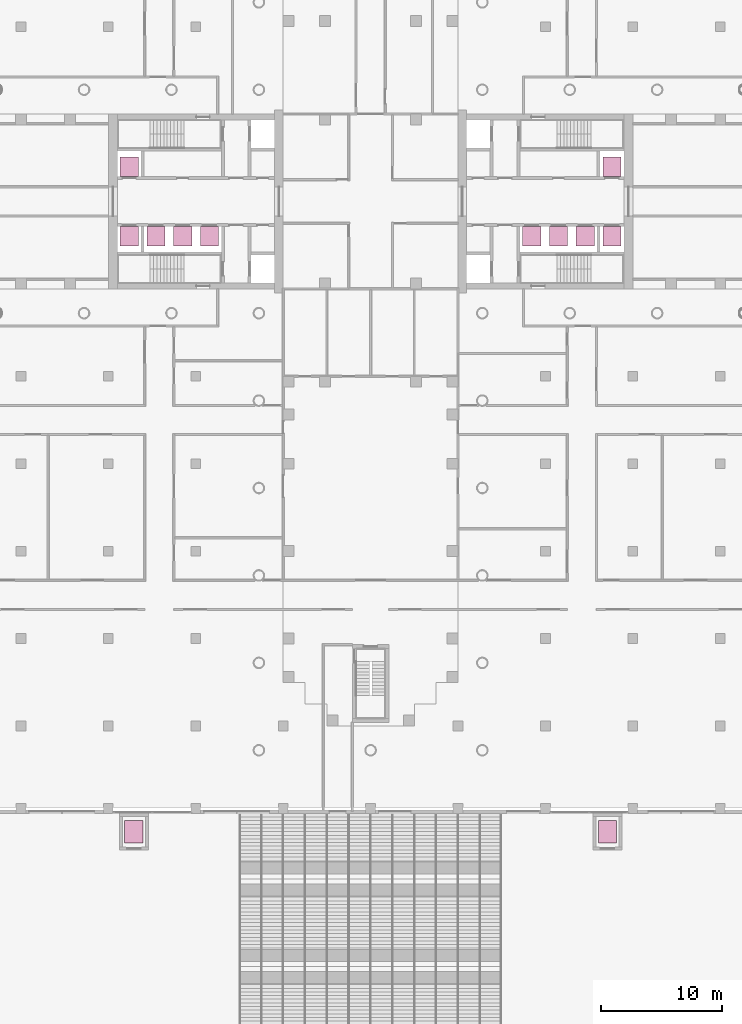
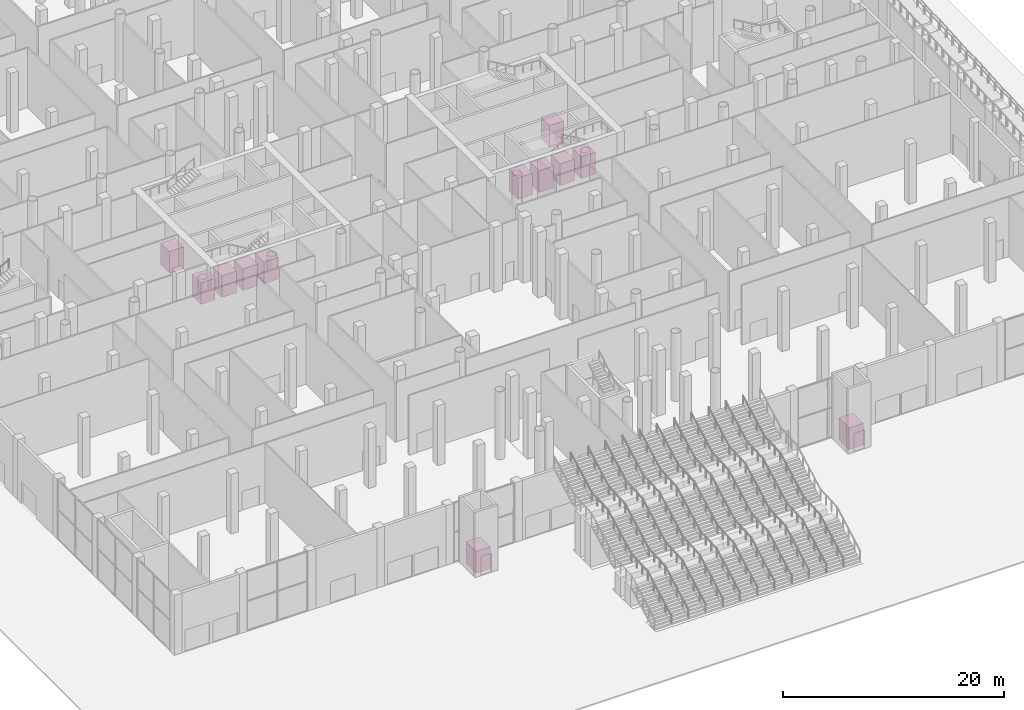
# One storey, part 44 of 44: 12 transport elements.
"""IFC4 building model written with IfcOpenShell, lengths in metres."""

from ifc_helpers import new_model, si_unit, direction, frame, origin, origin_2d, place, context, subcontext, project, spatial, rectangle, extrude, material, type_object, element, save


model = new_model("IFC4")

# Units and contexts
model_context = context("Model", 3, precision=1e-05, world=origin(), true_north=direction((0.0, 1.0)))
body_context = subcontext(model_context, "Body", "Model", "MODEL_VIEW")
ifc_project = project(units=[si_unit("LENGTHUNIT", "METRE"), si_unit("AREAUNIT", "SQUARE_METRE"), si_unit("VOLUMEUNIT", "CUBIC_METRE"), si_unit("PLANEANGLEUNIT", "RADIAN"), si_unit("MASSUNIT", "GRAM", prefix="KILO")], contexts=[model_context])

# Site, building, storey
site_placement = place(None, origin())
site = spatial("IfcSite", under=ifc_project, at=site_placement, CompositionType="ELEMENT")
building_placement = place(site_placement, origin())
building = spatial("IfcBuilding", under=site, at=building_placement, Name="Fustian Cross Tower", CompositionType="ELEMENT")
storey_placement = place(building_placement, origin())
storey = spatial("IfcBuildingStorey", under=building, at=storey_placement, Name="L00", CompositionType="ELEMENT", Elevation=0.0)

# Transport elements
ifc_material_1 = material(Name="Steel S355", Category="steel")
transport_element_type_1 = type_object("IfcTransportElementType", Name="PASSENGER LIFT 1000 KG", PredefinedType="ELEVATOR", material=ifc_material_1)
for number, where, z_axis, x_axis, name in (
    (1, (13.27490234375, -2.85009765625, 0.0), (0.0, 0.0, 1.0), (1.0, 0.0, 0.0), "Lift LR1"),
    (2, (15.47509765625, -2.85009765625, 0.0), (0.0, 0.0, 1.0), (1.0, 0.0, 0.0), "Lift LR2"),
    (3, (17.675048828125, -2.85009765625, 0.0), (0.0, 0.0, 1.0), (1.0, 0.0, 0.0), "Lift LR3"),
    (4, (19.875, -2.85009765625, 0.0), (0.0, 0.0, 1.0), (1.0, 0.0, 0.0), "Lift SH1"),
    (5, (19.875, 2.85009765625, 0.0), (0.0, 0.0, 1.0), (1.0, 0.0, 0.0), "Lift SH2"),
    (6, (-13.27490234375, -2.85009765625, 0.0), (0.0, 0.0, 1.0), (1.0, 0.0, 0.0), "Lift LR1W"),
    (7, (-15.47509765625, -2.85009765625, 0.0), (0.0, 0.0, 1.0), (1.0, 0.0, 0.0), "Lift LR2W"),
    (8, (-17.675048828125, -2.85009765625, 0.0), (0.0, 0.0, 1.0), (1.0, 0.0, 0.0), "Lift LR3W"),
    (9, (-19.875, -2.85009765625, 0.0), (0.0, 0.0, 1.0), (1.0, 0.0, 0.0), "Lift SH1W"),
    (10, (-19.875, 2.85009765625, 0.0), (0.0, 0.0, 1.0), (1.0, 0.0, 0.0), "Lift SH2W"),
):
    element("IfcTransportElement", number, at=place(storey_placement, frame(where, z_axis=z_axis, x_axis=x_axis)), inside=storey, type_object=transport_element_type_1, Name=name, PredefinedType="ELEVATOR", context=body_context, shape_type="SweptSolid", body=[
        extrude(rectangle(XDim=1.5, YDim=1.60009765625, at=origin_2d()), origin(), (0.0, 0.0, 1.0), 2.39990234375),
    ])
ifc_material_2 = material(Name="Steel S355", Category="steel")
transport_element_type_2 = type_object("IfcTransportElementType", Name="PUBLIC LIFT 1250 KG", PredefinedType="ELEVATOR", material=ifc_material_2)
for number, where, z_axis, x_axis, name in (
    (11, (-19.5, -51.89990234375, 0.0), (0.0, 0.0, 1.0), (1.0, 0.0, 0.0), "Public lift PL1"),
    (12, (19.5, -51.89990234375, 0.0), (0.0, 0.0, 1.0), (1.0, 0.0, 0.0), "Public lift PL2"),
):
    element("IfcTransportElement", number, at=place(storey_placement, frame(where, z_axis=z_axis, x_axis=x_axis)), inside=storey, type_object=transport_element_type_2, Name=name, PredefinedType="ELEVATOR", context=body_context, shape_type="SweptSolid", body=[
        extrude(rectangle(XDim=1.5, YDim=1.85009765625, at=origin_2d()), origin(), (0.0, 0.0, 1.0), 2.39990234375),
    ])

save(model, "model.ifc")
